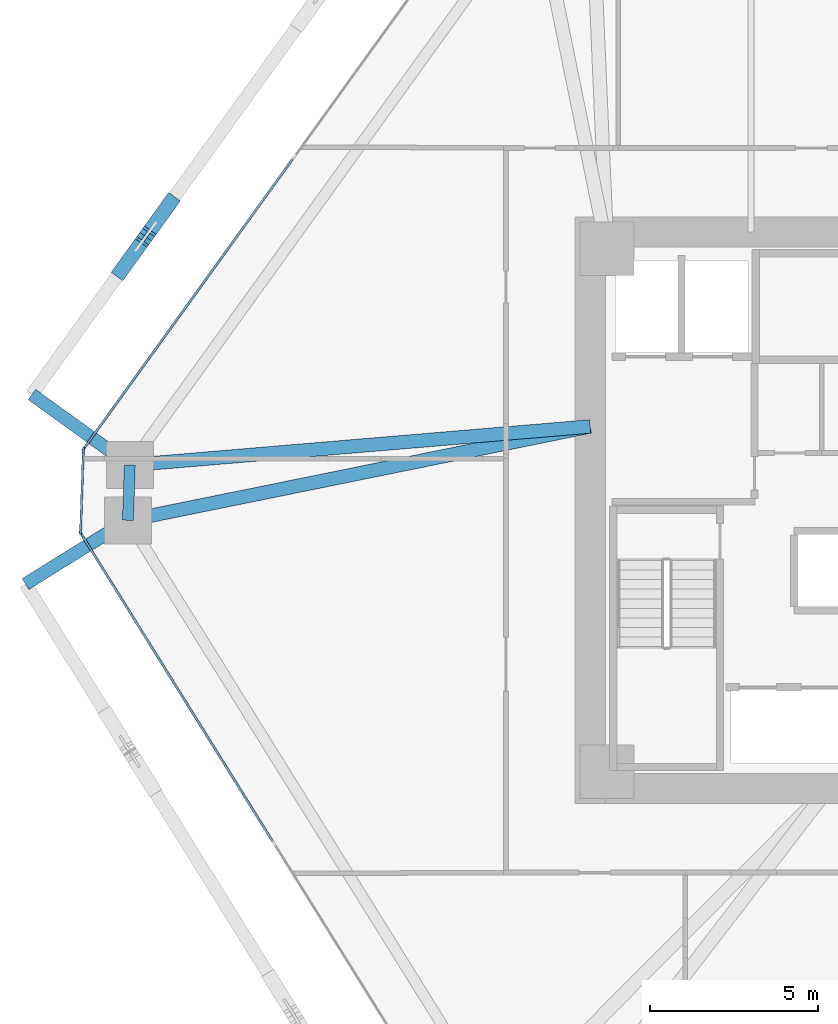
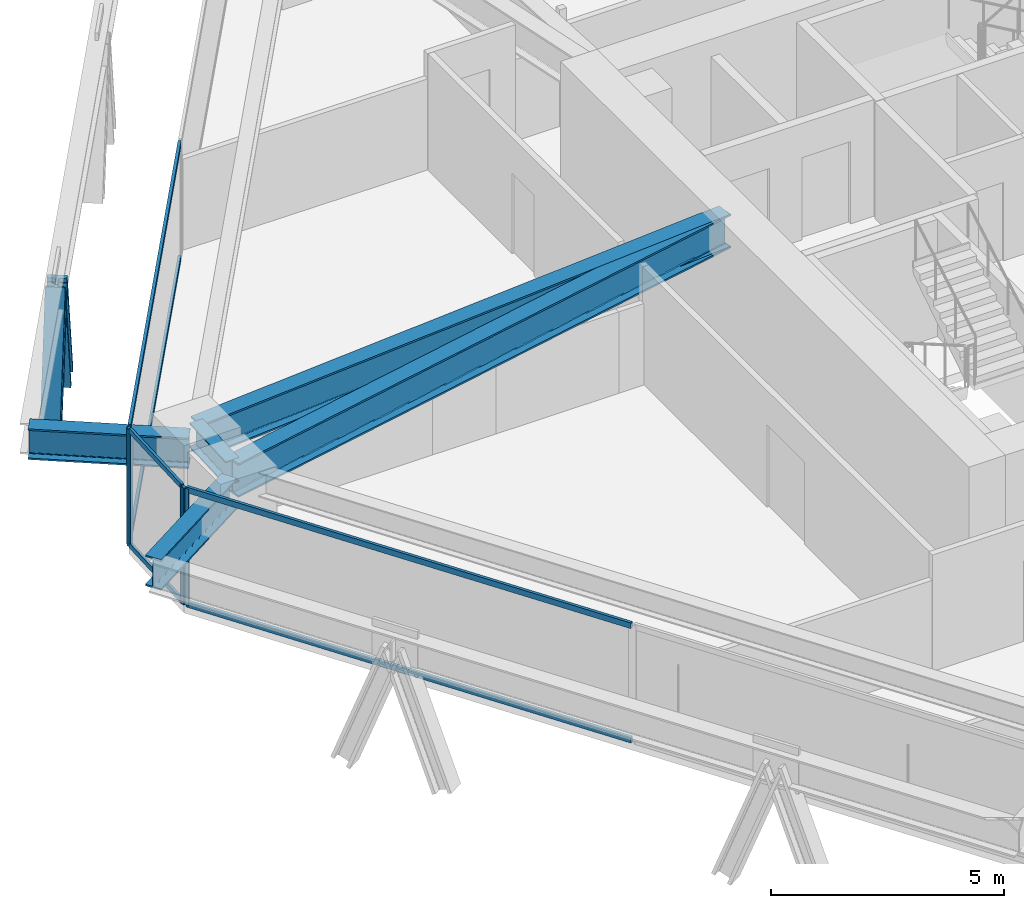
# One storey, part 4 of 17: 12 members, 5 beams, 3 elements without a shape of their own.
"""IFC4 building model written with IfcOpenShell, lengths in metres."""

import ifcopenshell
import ifcopenshell.guid

model = None  # the IFC model being written
_history = None  # IfcOwnerHistory: only IFC2X3 demands one
_inside = {}  # id of a spatial element -> (the spatial element, [elements in it])
_under = {}  # id of a project, library or spatial element -> (it, [spatial elements below it])
_declared = {}  # id of a project -> (the project, [libraries it declares])
_typed = {}  # id of a type object -> (the type object, [elements of that type])
_made_of = {}  # id of a material, layer set ... -> (it, [elements and type objects made of it])


def new_model(schema):
    """Start an empty IFC model of exactly this schema.

    Asked for "IFC4X3", IfcOpenShell would pick the latest addendum, in which some entities
    have other attributes; the version numbers below select the first issue.
    IFC2X3 requires an IfcOwnerHistory on every rooted entity: one is made here for all.
    """
    global model, _history
    if schema == "IFC4X3":
        model = ifcopenshell.file(schema_version=(4, 3, 0, 0))
    else:
        model = ifcopenshell.file(schema=schema)
    _inside.clear()
    _under.clear()
    _declared.clear()
    _typed.clear()
    _made_of.clear()
    _history = None
    if model.schema == "IFC2X3":
        org = make("IfcOrganization", Name="unknown")
        user = make(
            "IfcPersonAndOrganization",
            ThePerson=make("IfcPerson", FamilyName="unknown"),
            TheOrganization=org,
        )
        app = make(
            "IfcApplication",
            ApplicationDeveloper=org,
            Version="unknown",
            ApplicationFullName="unknown",
            ApplicationIdentifier="unknown",
        )
        _history = make(
            "IfcOwnerHistory",
            OwningUser=user,
            OwningApplication=app,
            ChangeAction="ADDED",
            CreationDate=0,
        )
    return model


def make(cls, **values):
    """One entity of the class cls with the attributes given. An attribute that is None is left unset."""
    return model.create_entity(
        cls, **{name: value for name, value in values.items() if value is not None}
    )


def rooted(cls, **values):
    """An entity with a GlobalId (a new one), such as an element, a storey or a relation."""
    return make(cls, GlobalId=ifcopenshell.guid.new(), OwnerHistory=_history, **values)


def si_unit(unit_type, name, prefix=None):
    """IfcSIUnit, for example si_unit("LENGTHUNIT", "METRE", prefix="MILLI")."""
    return make("IfcSIUnit", UnitType=unit_type, Prefix=prefix, Name=name)


def assignment(units):
    """IfcUnitAssignment: the units of a project."""
    return None if units is None else make("IfcUnitAssignment", Units=units)


def point(xyz):
    """IfcCartesianPoint."""
    return None if xyz is None else make("IfcCartesianPoint", Coordinates=xyz)


def direction(xyz):
    """IfcDirection."""
    return None if xyz is None else make("IfcDirection", DirectionRatios=xyz)


def frame(location, z_axis=None, x_axis=None):
    """IfcAxis2Placement3D, a coordinate frame: its origin and axes. An axis left out is left unset."""
    return make(
        "IfcAxis2Placement3D",
        Location=point(location),
        Axis=direction(z_axis),
        RefDirection=direction(x_axis),
    )


def frame_2d(location, x_axis=None):
    """IfcAxis2Placement2D, a coordinate frame in the plane: its origin and x axis."""
    return make(
        "IfcAxis2Placement2D", Location=point(location), RefDirection=direction(x_axis)
    )


def origin():
    """The frame at (0, 0, 0) with its axes left unset."""
    return frame((0.0, 0.0, 0.0))


def origin_2d():
    """The frame at (0, 0) in the plane with its x axis left unset."""
    return frame_2d((0.0, 0.0))


def place(relative_to, where):
    """IfcLocalPlacement: puts the frame where relative to a parent placement (None: the world)."""
    return make(
        "IfcLocalPlacement", PlacementRelTo=relative_to, RelativePlacement=where
    )


def context(
    kind, dimensions, precision=None, world=None, true_north=None, identifier=None
):
    """IfcGeometricRepresentationContext, for example the 3D "Model" context."""
    return make(
        "IfcGeometricRepresentationContext",
        ContextIdentifier=identifier,
        ContextType=kind,
        CoordinateSpaceDimension=dimensions,
        Precision=precision,
        WorldCoordinateSystem=world,
        TrueNorth=true_north,
    )


def subcontext(parent, identifier, kind, view, scale=None):
    """IfcGeometricRepresentationSubContext, for example "Body" below "Model"."""
    return make(
        "IfcGeometricRepresentationSubContext",
        ContextIdentifier=identifier,
        ContextType=kind,
        ParentContext=parent,
        TargetScale=scale,
        TargetView=view,
    )


def project(units=None, contexts=None):
    """IfcProject with its units and contexts."""
    return rooted(
        "IfcProject",
        Name="project",
        RepresentationContexts=contexts,
        UnitsInContext=assignment(units),
    )


def spatial(cls, under=None, at=None, **own):
    """A site, building, storey or space (cls), placed at a placement, below another one or the project."""
    s = rooted(cls, ObjectPlacement=at, **own)
    if under is not None:
        _under.setdefault(under.id(), (under, []))[1].append(s)
    return s


def profile(cls, at=None, kind="AREA", **sizes):
    """A parametric profile (cls). Its sizes go by their IFC names, for example OverallWidth=200.0."""
    return make(cls, ProfileType=kind, Position=at, **sizes)


def rectangle(**sizes):
    """IfcRectangleProfileDef."""
    return profile("IfcRectangleProfileDef", **sizes)


def i_section(**sizes):
    """IfcIShapeProfileDef."""
    return profile("IfcIShapeProfileDef", **sizes)


def extrude(swept, where, along, depth):
    """IfcExtrudedAreaSolid: the profile swept, set in the frame where, extruded along a direction by depth."""
    return make(
        "IfcExtrudedAreaSolid",
        SweptArea=swept,
        Position=where,
        ExtrudedDirection=direction(along),
        Depth=depth,
    )


def shape(context_of_items, identifier, shape_type, items):
    """IfcShapeRepresentation: the items that make up one representation, for example the "Body"."""
    return make(
        "IfcShapeRepresentation",
        ContextOfItems=context_of_items,
        RepresentationIdentifier=identifier,
        RepresentationType=shape_type,
        Items=items,
    )


def source(mapping_origin, context_of_items, identifier, shape_type, items):
    """IfcRepresentationMap: a shape defined once, which mapped items show again and again."""
    return make(
        "IfcRepresentationMap",
        MappingOrigin=mapping_origin,
        MappedRepresentation=shape(context_of_items, identifier, shape_type, items),
    )


def transform(
    local_origin,
    x_axis=None,
    y_axis=None,
    z_axis=None,
    scale=None,
    scale2=None,
    scale3=None,
    uniform=True,
):
    """IfcCartesianTransformationOperator3D, or its non-uniform kind. x_axis, y_axis, z_axis: its Axis1, 2, 3."""
    if uniform:
        return make(
            "IfcCartesianTransformationOperator3D",
            Axis1=direction(x_axis),
            Axis2=direction(y_axis),
            LocalOrigin=point(local_origin),
            Scale=scale,
            Axis3=direction(z_axis),
        )
    return make(
        "IfcCartesianTransformationOperator3DnonUniform",
        Axis1=direction(x_axis),
        Axis2=direction(y_axis),
        LocalOrigin=point(local_origin),
        Scale=scale,
        Axis3=direction(z_axis),
        Scale2=scale2,
        Scale3=scale3,
    )


def mapped(mapping_source, mapping_target):
    """IfcMappedItem: shows the shape of a source again, moved by a transform."""
    return make(
        "IfcMappedItem", MappingSource=mapping_source, MappingTarget=mapping_target
    )


def material(Name=None, Category=None):
    """IfcMaterial."""
    return make("IfcMaterial", Name=Name, Category=Category)


def layer(
    of_material, thickness, ventilated=None, Name=None, Category=None, Priority=None
):
    """IfcMaterialLayer: one layer of a wall or slab, of a material (None: an air gap)."""
    return make(
        "IfcMaterialLayer",
        Material=of_material,
        LayerThickness=thickness,
        IsVentilated=ventilated,
        Name=Name,
        Category=Category,
        Priority=Priority,
    )


def layer_set(layers, Name=None):
    """IfcMaterialLayerSet."""
    return make("IfcMaterialLayerSet", MaterialLayers=layers, LayerSetName=Name)


def material_profile(
    of_material, cross_section, Name=None, Category=None, Priority=None
):
    """IfcMaterialProfile: a cross section and its material."""
    return make(
        "IfcMaterialProfile",
        Name=Name,
        Material=of_material,
        Profile=cross_section,
        Priority=Priority,
        Category=Category,
    )


def profile_set(profiles, Name=None, composite=None):
    """IfcMaterialProfileSet."""
    return make(
        "IfcMaterialProfileSet",
        Name=Name,
        MaterialProfiles=profiles,
        CompositeProfile=composite,
    )


def made_of(thing, what):
    """Note that an element or type object is made of a material, layer set ...; save() writes the relation."""
    if what is not None:
        _made_of.setdefault(what.id(), (what, []))[1].append(thing)
    return thing


def type_object(cls, material=None, **own):
    """A type object (cls), such as IfcWallType, which elements share."""
    return made_of(rooted(cls, **own), material)


def type_shapes(of_type, sources):
    """Give a type object the sources (RepresentationMaps) that its elements show as mapped items."""
    of_type.RepresentationMaps = sources


def element(
    cls,
    number,
    at=None,
    inside=None,
    cuts=None,
    type_object=None,
    material=None,
    context=None,
    identifier="Body",
    shape_type=None,
    held_by="IfcProductDefinitionShape",
    body=None,
    shapes=None,
    **own,
):
    """One element of the class cls, such as IfcWall. Its Tag is "e" and its number.

    at: its placement. inside: the storey or other place that contains it. cuts: it is an
    opening in that element (IfcRelVoidsElement). A single representation is given by context,
    identifier, shape_type and body (its items); several are given by shapes. held_by: the class
    of the entity that holds the representations. save() writes the other relations.
    """
    e = rooted(cls, Tag="e%d" % number, ObjectPlacement=at, **own)
    if body is not None:
        shapes = [shape(context, identifier, shape_type, body)]
    if shapes is not None:
        e.Representation = make(held_by, Representations=shapes)
    if inside is not None:
        _inside.setdefault(inside.id(), (inside, []))[1].append(e)
    if cuts is not None:
        rooted(
            "IfcRelVoidsElement", RelatingBuildingElement=cuts, RelatedOpeningElement=e
        )
    if type_object is not None:
        _typed.setdefault(type_object.id(), (type_object, []))[1].append(e)
    return made_of(e, material)


def aggregate(whole, parts):
    """IfcRelAggregates: a whole, such as a stair, and the parts it consists of."""
    return rooted("IfcRelAggregates", RelatingObject=whole, RelatedObjects=parts)


def save(model, path):
    """Write the relations noted so far, then the file.

    IfcRelAggregates (storeys below a building ...), IfcRelContainedInSpatialStructure (elements
    in a storey), IfcRelDefinesByType, IfcRelAssociatesMaterial and IfcRelDeclares: one each for
    every whole, place, type object, material and project.
    """
    for whole, parts in _under.values():
        aggregate(whole, parts)
    for where, things in _inside.values():
        rooted(
            "IfcRelContainedInSpatialStructure",
            RelatedElements=things,
            RelatingStructure=where,
        )
    for kind, things in _typed.values():
        rooted("IfcRelDefinesByType", RelatedObjects=things, RelatingType=kind)
    for what, things in _made_of.values():
        rooted("IfcRelAssociatesMaterial", RelatedObjects=things, RelatingMaterial=what)
    for by, libraries in _declared.values():
        rooted("IfcRelDeclares", RelatingContext=by, RelatedDefinitions=libraries)
    model.write(path)


model = new_model("IFC4")

# Units and contexts
model_context = context("Model", 3, precision=1e-05, world=origin(), true_north=direction((0.0, 1.0)))
body_context = subcontext(model_context, "Body", "Model", "MODEL_VIEW")
ifc_project = project(units=[si_unit("LENGTHUNIT", "METRE"), si_unit("AREAUNIT", "SQUARE_METRE"), si_unit("VOLUMEUNIT", "CUBIC_METRE"), si_unit("PLANEANGLEUNIT", "RADIAN"), si_unit("MASSUNIT", "GRAM", prefix="KILO")], contexts=[model_context])

# Site, building, storey
site_placement = place(None, origin())
site = spatial("IfcSite", under=ifc_project, at=site_placement, CompositionType="ELEMENT")
building_placement = place(site_placement, origin())
building = spatial("IfcBuilding", under=site, at=building_placement, Name="Durnholm Broadcast Tower", CompositionType="ELEMENT")
storey_placement = place(building_placement, frame((0.0, 0.0, 52.199951171875)))
storey = spatial("IfcBuildingStorey", under=building, at=storey_placement, Name="L12", CompositionType="ELEMENT", Elevation=52.199951171875)

# Beams
ifc_material_1 = material(Name="Steel ASTM A992 Grade 50", Category="steel")
ifc_material_profile_1 = material_profile(ifc_material_1, i_section(OverallWidth=0.3291015625, OverallDepth=0.635009765625, WebThickness=0.017822265625, FlangeThickness=0.031005859375, FilletRadius=0.02783203125, at=origin_2d()), Name="W24X162")
ifc_profile_set_1 = profile_set([ifc_material_profile_1], Name="Steel ASTM A992 Grade 50")
beam_type_1 = type_object("IfcBeamType", Name="STL-SP-W24X162", PredefinedType="SPANDREL", material=ifc_profile_set_1)
shared_shape_1 = source(origin(), body_context, "Body", "SweptSolid", [
    extrude(i_section(OverallWidth=0.3291015625, OverallDepth=0.635009765625, WebThickness=0.017822265625, FlangeThickness=0.031005859375, FilletRadius=0.02783203125, at=origin_2d()), origin(), (0.0, 0.0, 1.0), 1.648193359375),
])
type_shapes(beam_type_1, [shared_shape_1])
beam_1_placement = place(storey_placement, frame((-24.0908203125, -0.2998046875, 2.7275390625), z_axis=(0.033921477804, 0.999424501072, 0.0), x_axis=(-0.999424501072, 0.033921477804, 0.0)))
element("IfcBeam", 1, at=beam_1_placement, inside=storey, type_object=beam_type_1, Name="L12 perimeter spandrel girder 02", PredefinedType="SPANDREL", context=body_context, shape_type="MappedRepresentation", body=[
    mapped(shared_shape_1, transform((0.0, 0.0, 0.0), x_axis=(1.0, 0.0, 0.0), y_axis=(0.0, 1.0, 0.0), z_axis=(0.0, 0.0, 1.0), scale=1.0)),
])
ifc_material_profile_2 = material_profile(ifc_material_1, i_section(OverallWidth=0.404052734375, OverallDepth=0.885009765625, WebThickness=0.0244140625, FlangeThickness=0.0439453125, FilletRadius=0.03564453125, at=origin_2d()), Name="W33X291")
ifc_profile_set_2 = profile_set([ifc_material_profile_2], Name="Steel ASTM A992 Grade 50")
beam_type_2 = type_object("IfcBeamType", Name="STL-GR-W33X291", PredefinedType="USERDEFINED", material=ifc_profile_set_2)
shared_shape_2 = source(origin(), body_context, "Body", "SweptSolid", [
    extrude(i_section(OverallWidth=0.404052734375, OverallDepth=0.885009765625, WebThickness=0.0244140625, FlangeThickness=0.0439453125, FilletRadius=0.03564453125, at=origin_2d()), origin(), (0.0, 0.0, 1.0), 14.072021484375),
])
beam_2_placement = place(storey_placement, frame((-10.300048828125, 2.5, 2.6025390625), z_axis=(-0.980007356767, -0.198961254225, 0.0), x_axis=(0.198961254225, -0.980007356767, 0.0)))
element("IfcBeam", 2, at=beam_2_placement, inside=storey, type_object=beam_type_2, Name="L12 radial primary floor girder 02", ObjectType="GIRDER", PredefinedType="USERDEFINED", context=body_context, shape_type="MappedRepresentation", body=[
    mapped(shared_shape_2, transform((0.0, 0.0, 0.0), x_axis=(1.0, 0.0, 0.0), y_axis=(0.0, 1.0, 0.0), z_axis=(0.0, 0.0, 1.0), scale=1.0)),
])
shared_shape_3 = source(origin(), body_context, "Body", "SweptSolid", [
    extrude(i_section(OverallWidth=0.404052734375, OverallDepth=0.885009765625, WebThickness=0.0244140625, FlangeThickness=0.0439453125, FilletRadius=0.03564453125, at=origin_2d()), origin(), (0.0, 0.0, 1.0), 13.783203125),
])
type_shapes(beam_type_2, [shared_shape_2, shared_shape_3])
beam_3_placement = place(storey_placement, frame((-10.300048828125, 2.5, 2.6025390625), z_axis=(-0.996497460403, -0.083623031579, 0.0), x_axis=(0.083623031579, -0.996497460403, 0.0)))
element("IfcBeam", 3, at=beam_3_placement, inside=storey, type_object=beam_type_2, Name="L12 radial primary floor girder 03", ObjectType="GIRDER", PredefinedType="USERDEFINED", context=body_context, shape_type="MappedRepresentation", body=[
    mapped(shared_shape_3, transform((0.0, 0.0, 0.0), x_axis=(1.0, 0.0, 0.0), y_axis=(0.0, 1.0, 0.0), z_axis=(0.0, 0.0, 1.0), scale=1.0)),
])
ifc_material_profile_3 = material_profile(ifc_material_1, i_section(OverallWidth=0.385009765625, OverallDepth=0.802978515625, WebThickness=0.023681640625, FlangeThickness=0.0419921875, FilletRadius=0.032958984375, at=origin_2d()), Name="W30X261")
ifc_profile_set_3 = profile_set([ifc_material_profile_3], Name="Steel ASTM A992 Grade 50")
beam_type_3 = type_object("IfcBeamType", Name="BM-EXO-TIE", PredefinedType="USERDEFINED", material=ifc_profile_set_3)
shared_shape_4 = source(origin(), body_context, "Body", "SweptSolid", [
    extrude(i_section(OverallWidth=0.385009765625, OverallDepth=0.802978515625, WebThickness=0.023681640625, FlangeThickness=0.0419921875, FilletRadius=0.032958984375, at=origin_2d()), origin(), (0.0, 0.0, 1.0), 3.4560546875),
])
beam_4_placement = place(storey_placement, frame((-24.212890625, -0.375732421875, 2.30859375), z_axis=(-0.848874183218, -0.528594949906, 0.0), x_axis=(0.528594949906, -0.848874183218, 0.0)))
element("IfcBeam", 4, at=beam_4_placement, inside=storey, type_object=beam_type_3, Name="L12 exoskeleton stand-off tie bracket F6.1", ObjectType="GIRDER", PredefinedType="USERDEFINED", context=body_context, shape_type="MappedRepresentation", body=[
    mapped(shared_shape_4, transform((0.0, 0.0, 0.0), x_axis=(1.0, 0.0, 0.0), y_axis=(0.0, 1.0, 0.0), z_axis=(0.0, 0.0, 1.0), scale=1.0)),
])
shared_shape_5 = source(origin(), body_context, "Body", "SweptSolid", [
    extrude(i_section(OverallWidth=0.385009765625, OverallDepth=0.802978515625, WebThickness=0.023681640625, FlangeThickness=0.0419921875, FilletRadius=0.032958984375, at=origin_2d()), origin(), (0.0, 0.0, 1.0), 3.455810546875),
])
type_shapes(beam_type_3, [shared_shape_4, shared_shape_5])
beam_5_placement = place(storey_placement, frame((-24.15185546875, 1.431396484375, 2.30859375), z_axis=(-0.811133512552, 0.584861030344, 0.0), x_axis=(-0.584861030344, -0.811133512552, 0.0)))
element("IfcBeam", 5, at=beam_5_placement, inside=storey, type_object=beam_type_3, Name="L12 exoskeleton stand-off tie bracket F5.2", ObjectType="GIRDER", PredefinedType="USERDEFINED", context=body_context, shape_type="MappedRepresentation", body=[
    mapped(shared_shape_5, transform((0.0, 0.0, 0.0), x_axis=(1.0, 0.0, 0.0), y_axis=(0.0, 1.0, 0.0), z_axis=(0.0, 0.0, 1.0), scale=1.0)),
])

# Members
ifc_material_2 = material(Name="Steel ASTM A913 Grade 65", Category="steel")
ifc_material_profile_4 = material_profile(ifc_material_2, i_section(OverallWidth=0.43212890625, OverallDepth=0.497802734375, WebThickness=0.0556640625, FlangeThickness=0.0888671875, FilletRadius=0.030517578125, at=origin_2d()), Name="W14X500")
ifc_profile_set_4 = profile_set([ifc_material_profile_4], Name="Steel ASTM A913 Grade 65")
member_type_1 = type_object("IfcMemberType", Name="STL-DG-W14X500", PredefinedType="BRACE", material=ifc_profile_set_4)
shared_shape_6 = source(origin(), body_context, "Body", "SweptSolid", [
    extrude(i_section(OverallWidth=0.43212890625, OverallDepth=0.497802734375, WebThickness=0.0556640625, FlangeThickness=0.0888671875, FilletRadius=0.030517578125, at=origin_2d()), origin(), (0.0, 0.0, 1.0), 3.523193359375),
])
type_shapes(member_type_1, [shared_shape_6])
for number, where, z_axis, x_axis, name in (
    (6, (-22.837890625, 9.163330078125, -0.991455078125), (-0.204839138341, -0.284044529113, 0.93667477434), (0.81109123444, -0.58491966065, 0.0), "L12 stand-off diagrid brace F5.D2.1"),
    (7, (-24.281005859375, 7.161865234375, -0.991455078125), (0.20477274847, 0.284048560399, 0.936688068046), (-0.811185111535, 0.584789461963, 0.0), "L12 stand-off diagrid brace F5.D2.2"),
):
    element("IfcMember", number, at=place(storey_placement, frame(where, z_axis=z_axis, x_axis=x_axis)), inside=storey, type_object=member_type_1, Name=name, PredefinedType="BRACE", context=body_context, shape_type="MappedRepresentation", body=[
        mapped(shared_shape_6, transform((0.0, 0.0, 0.0), x_axis=(1.0, 0.0, 0.0), y_axis=(0.0, 1.0, 0.0), z_axis=(0.0, 0.0, 1.0), scale=1.0)),
    ])

# Curtain wall, members
ifc_material_3 = material(Name="Aluminium and Solar Control IGU", Category="aluminium")
ifc_layer_1 = layer(ifc_material_3, 0.1650390625)
ifc_layer_set_1 = layer_set([ifc_layer_1], Name="Aluminium and Solar Control IGU")
curtain_wall_type_1 = type_object("IfcCurtainWallType", Name="CW-SYS-5", PredefinedType="NOTDEFINED", material=ifc_layer_set_1)
curtain_wall_1_placement = place(storey_placement, origin())
curtain_wall_1 = element("IfcCurtainWall", 8, at=curtain_wall_1_placement, inside=storey, type_object=curtain_wall_type_1, Name="L12 curtain wall CW-CORNER CW-L12-CRN-01", PredefinedType="NOTDEFINED")
ifc_material_4 = material(Name="Aluminium 6063-T6", Category="aluminium")
ifc_material_profile_5 = material_profile(ifc_material_4, rectangle(XDim=0.06494140625, YDim=0.1650390625, at=origin_2d()), Name="CWM65X165")
ifc_profile_set_5 = profile_set([ifc_material_profile_5], Name="Aluminium 6063-T6")
member_type_2 = type_object("IfcMemberType", Name="CW-SYS-5-MUL", PredefinedType="MULLION", material=ifc_profile_set_5)
shared_shape_7 = source(origin(), body_context, "Body", "SweptSolid", [
    extrude(rectangle(XDim=0.06494140625, YDim=0.1650390625, at=origin_2d()), origin(), (0.0, 0.0, 1.0), 3.06005859375),
])
type_shapes(member_type_2, [shared_shape_7])
member_1_placement = place(storey_placement, frame((-25.50341796875, -0.6455078125, 0.0), z_axis=(0.0, 0.0, 1.0), x_axis=(-0.999427277772, 0.033839569233, 0.0)))
member_1 = element("IfcMember", 9, at=member_1_placement, type_object=member_type_2, Name="CW-CORNER mullion 1", PredefinedType="MULLION", context=body_context, shape_type="MappedRepresentation", body=[
    mapped(shared_shape_7, transform((0.0, 0.0, 0.0), x_axis=(1.0, 0.0, 0.0), y_axis=(0.0, 1.0, 0.0), z_axis=(0.0, 0.0, 1.0), scale=1.0)),
])
member_2_placement = place(storey_placement, frame((-25.4208984375, 1.7880859375, 0.0), z_axis=(0.0, 0.0, 1.0), x_axis=(-0.999427277772, 0.033839569233, 0.0)))
member_2 = element("IfcMember", 10, at=member_2_placement, type_object=member_type_2, Name="CW-CORNER mullion 2", PredefinedType="MULLION", context=body_context, shape_type="MappedRepresentation", body=[
    mapped(shared_shape_7, transform((0.0, 0.0, 0.0), x_axis=(1.0, 0.0, 0.0), y_axis=(0.0, 1.0, 0.0), z_axis=(0.0, 0.0, 1.0), scale=1.0)),
])
ifc_material_profile_6 = material_profile(ifc_material_4, rectangle(XDim=0.06494140625, YDim=0.1298828125, at=origin_2d()), Name="CWT65X130")
ifc_profile_set_6 = profile_set([ifc_material_profile_6], Name="Aluminium 6063-T6")
member_type_3 = type_object("IfcMemberType", Name="CW-SYS-5-TRN", PredefinedType="USERDEFINED", material=ifc_profile_set_6)
shared_shape_8 = source(origin(), body_context, "Body", "SweptSolid", [
    extrude(rectangle(XDim=0.06494140625, YDim=0.1298828125, at=origin_2d()), origin(), (0.0, 0.0, 1.0), 2.3701171875),
])
type_shapes(member_type_3, [shared_shape_8])
member_3_placement = place(storey_placement, frame((-25.502197265625, -0.613037109375, 0.032470703125), z_axis=(0.033788158898, 0.999429017148, 0.0), x_axis=(-0.999429017148, 0.033788158898, 0.0)))
member_3 = element("IfcMember", 11, at=member_3_placement, type_object=member_type_3, Name="CW-CORNER transom 1.1", ObjectType="TRANSOM", PredefinedType="USERDEFINED", context=body_context, shape_type="MappedRepresentation", body=[
    mapped(shared_shape_8, transform((0.0, 0.0, 0.0), x_axis=(1.0, 0.0, 0.0), y_axis=(0.0, 1.0, 0.0), z_axis=(0.0, 0.0, 1.0), scale=1.0)),
])
member_4_placement = place(storey_placement, frame((-25.502197265625, -0.613037109375, 3.027587890625), z_axis=(0.033788158898, 0.999429017148, 0.0), x_axis=(-0.999429017148, 0.033788158898, 0.0)))
member_4 = element("IfcMember", 12, at=member_4_placement, type_object=member_type_3, Name="CW-CORNER transom 1.2", ObjectType="TRANSOM", PredefinedType="USERDEFINED", context=body_context, shape_type="MappedRepresentation", body=[
    mapped(shared_shape_8, transform((0.0, 0.0, 0.0), x_axis=(1.0, 0.0, 0.0), y_axis=(0.0, 1.0, 0.0), z_axis=(0.0, 0.0, 1.0), scale=1.0)),
])
aggregate(curtain_wall_1, [member_1, member_2, member_3, member_4])

# Curtain wall, member
ifc_layer_2 = layer(ifc_material_3, 0.18994140625)
ifc_layer_set_2 = layer_set([ifc_layer_2], Name="Aluminium and Solar Control IGU")
curtain_wall_type_2 = type_object("IfcCurtainWallType", Name="CW-SYS-3", PredefinedType="NOTDEFINED", material=ifc_layer_set_2)
curtain_wall_2_placement = place(storey_placement, origin())
curtain_wall_2 = element("IfcCurtainWall", 13, at=curtain_wall_2_placement, inside=storey, type_object=curtain_wall_type_2, Name="L12 curtain wall CW-Z12-VIS CW-L12-F02", PredefinedType="NOTDEFINED")
ifc_material_profile_7 = material_profile(ifc_material_4, rectangle(XDim=0.070068359375, YDim=0.18994140625, at=origin_2d()), Name="CWM70X190")
ifc_profile_set_7 = profile_set([ifc_material_profile_7], Name="Aluminium 6063-T6")
member_type_4 = type_object("IfcMemberType", Name="CW-SYS-3-MUL", PredefinedType="MULLION", material=ifc_profile_set_7)
shared_shape_9 = source(origin(), body_context, "Body", "SweptSolid", [
    extrude(rectangle(XDim=0.070068359375, YDim=0.18994140625, at=origin_2d()), origin(), (0.0, 0.0, 1.0), 3.06005859375),
])
type_shapes(member_type_4, [shared_shape_9])
member_5_placement = place(storey_placement, frame((-25.3994140625, 1.848876953125, 0.0), z_axis=(0.0, 0.0, 1.0), x_axis=(-0.81116057493, 0.584823496176, 0.0)))
member_5 = element("IfcMember", 14, at=member_5_placement, type_object=member_type_4, Name="CW-Z12-VIS mullion 1", PredefinedType="MULLION", context=body_context, shape_type="MappedRepresentation", body=[
    mapped(shared_shape_9, transform((0.0, 0.0, 0.0), x_axis=(1.0, 0.0, 0.0), y_axis=(0.0, 1.0, 0.0), z_axis=(0.0, 0.0, 1.0), scale=1.0)),
])

curtain_wall_3_placement = place(storey_placement, origin())
curtain_wall_3 = element("IfcCurtainWall", 15, at=curtain_wall_3_placement, inside=storey, type_object=curtain_wall_type_2, Name="L12 curtain wall CW-Z12-VIS CW-L12-F12", PredefinedType="NOTDEFINED")
member_6_placement = place(storey_placement, frame((-25.48583984375, -0.707763671875, 0.0), z_axis=(0.0, 0.0, 1.0), x_axis=(-0.848875785503, -0.528592376777, 0.0)))
member_6 = element("IfcMember", 16, at=member_6_placement, type_object=member_type_4, Name="CW-Z12-VIS mullion 3", PredefinedType="MULLION", context=body_context, shape_type="MappedRepresentation", body=[
    mapped(shared_shape_9, transform((0.0, 0.0, 0.0), x_axis=(1.0, 0.0, 0.0), y_axis=(0.0, 1.0, 0.0), z_axis=(0.0, 0.0, 1.0), scale=1.0)),
])

# Member
ifc_material_profile_8 = material_profile(ifc_material_4, rectangle(XDim=0.070068359375, YDim=0.14990234375, at=origin_2d()), Name="CWT70X150")
ifc_profile_set_8 = profile_set([ifc_material_profile_8], Name="Aluminium 6063-T6")
member_type_5 = type_object("IfcMemberType", Name="CW-SYS-3-TRN", PredefinedType="USERDEFINED", material=ifc_profile_set_8)
shared_shape_10 = source(origin(), body_context, "Body", "SweptSolid", [
    extrude(rectangle(XDim=0.070068359375, YDim=0.14990234375, at=origin_2d()), origin(), (0.0, 0.0, 1.0), 10.6455078125),
])
member_7_placement = place(storey_placement, frame((-25.37890625, 1.877197265625, 0.03515625), z_axis=(0.584812103659, 0.811168788486, 0.0), x_axis=(-0.811168788486, 0.584812103659, 0.0)))
member_7 = element("IfcMember", 17, at=member_7_placement, type_object=member_type_5, Name="CW-Z12-VIS transom 1.1", ObjectType="TRANSOM", PredefinedType="USERDEFINED", context=body_context, shape_type="MappedRepresentation", body=[
    mapped(shared_shape_10, transform((0.0, 0.0, 0.0), x_axis=(1.0, 0.0, 0.0), y_axis=(0.0, 1.0, 0.0), z_axis=(0.0, 0.0, 1.0), scale=1.0)),
])

member_8_placement = place(storey_placement, frame((-25.37890625, 1.877197265625, 3.025146484375), z_axis=(0.584812103659, 0.811168788486, 0.0), x_axis=(-0.811168788486, 0.584812103659, 0.0)))
member_8 = element("IfcMember", 18, at=member_8_placement, type_object=member_type_5, Name="CW-Z12-VIS transom 1.2", ObjectType="TRANSOM", PredefinedType="USERDEFINED", context=body_context, shape_type="MappedRepresentation", body=[
    mapped(shared_shape_10, transform((0.0, 0.0, 0.0), x_axis=(1.0, 0.0, 0.0), y_axis=(0.0, 1.0, 0.0), z_axis=(0.0, 0.0, 1.0), scale=1.0)),
])

aggregate(curtain_wall_2, [member_5, member_7, member_8])

shared_shape_11 = source(origin(), body_context, "Body", "SweptSolid", [
    extrude(rectangle(XDim=0.070068359375, YDim=0.14990234375, at=origin_2d()), origin(), (0.0, 0.0, 1.0), 10.796630859375),
])
type_shapes(member_type_5, [shared_shape_10, shared_shape_11])
member_9_placement = place(storey_placement, frame((-19.760498046875, -9.902587890625, 0.03515625), z_axis=(-0.528575362968, 0.848886379714, 0.0), x_axis=(-0.848886379714, -0.528575362968, 0.0)))
member_9 = element("IfcMember", 19, at=member_9_placement, type_object=member_type_5, Name="CW-Z12-VIS transom 2.1", ObjectType="TRANSOM", PredefinedType="USERDEFINED", context=body_context, shape_type="MappedRepresentation", body=[
    mapped(shared_shape_11, transform((0.0, 0.0, 0.0), x_axis=(1.0, 0.0, 0.0), y_axis=(0.0, 1.0, 0.0), z_axis=(0.0, 0.0, 1.0), scale=1.0)),
])

member_10_placement = place(storey_placement, frame((-19.760498046875, -9.902587890625, 3.025146484375), z_axis=(-0.528575362968, 0.848886379714, 0.0), x_axis=(-0.848886379714, -0.528575362968, 0.0)))
member_10 = element("IfcMember", 20, at=member_10_placement, type_object=member_type_5, Name="CW-Z12-VIS transom 2.2", ObjectType="TRANSOM", PredefinedType="USERDEFINED", context=body_context, shape_type="MappedRepresentation", body=[
    mapped(shared_shape_11, transform((0.0, 0.0, 0.0), x_axis=(1.0, 0.0, 0.0), y_axis=(0.0, 1.0, 0.0), z_axis=(0.0, 0.0, 1.0), scale=1.0)),
])

aggregate(curtain_wall_3, [member_6, member_9, member_10])

save(model, "model.ifc")
